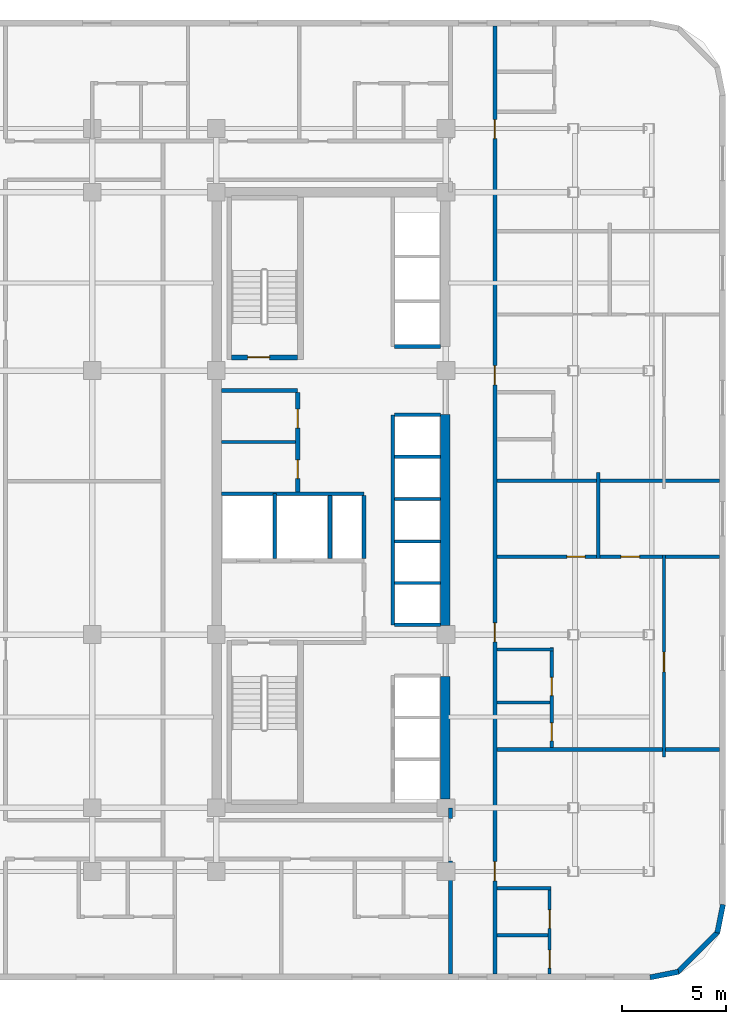
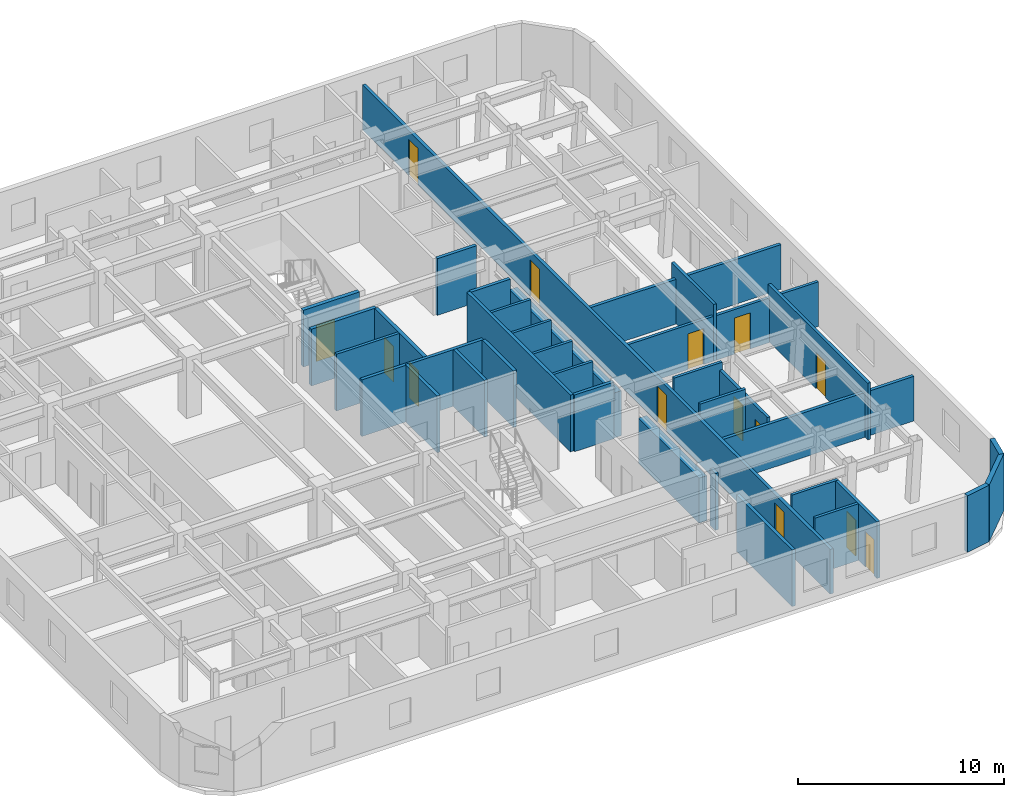
# One storey, part 8 of 12: 35 walls, 14 doors, 14 openings.
"""IFC4 building model written with IfcOpenShell, lengths in metres."""

from ifc_helpers import new_model, si_unit, direction, frame, frame_2d, origin, place, context, subcontext, project, spatial, rectangle, extrude, material, layer, layer_set, type_object, element, fill, save


model = new_model("IFC4")

# Units and contexts
model_context = context("Model", 3, precision=1e-05, world=origin(), true_north=direction((0.0, 1.0)))
body_context = subcontext(model_context, "Body", "Model", "MODEL_VIEW")
ifc_project = project(units=[si_unit("LENGTHUNIT", "METRE"), si_unit("AREAUNIT", "SQUARE_METRE"), si_unit("VOLUMEUNIT", "CUBIC_METRE"), si_unit("PLANEANGLEUNIT", "RADIAN"), si_unit("MASSUNIT", "GRAM", prefix="KILO")], contexts=[model_context])

# Site, building, storey
site_placement = place(None, origin())
site = spatial("IfcSite", under=ifc_project, at=site_placement, CompositionType="ELEMENT")
building_placement = place(site_placement, origin())
building = spatial("IfcBuilding", under=site, at=building_placement, Name="Ochreholt Gables", CompositionType="ELEMENT")
storey_placement = place(building_placement, frame((0.0, 0.0, 38.39990234375)))
storey = spatial("IfcBuildingStorey", under=building, at=storey_placement, Name="L09", CompositionType="ELEMENT", Elevation=38.39990234375)

# Walls
ifc_material_1 = material(Name="Concrete 60 MPa", Category="concrete")
ifc_layer_1 = layer(ifc_material_1, 0.449951171875, Name="Concrete 60 MPa")
ifc_layer_set_1 = layer_set([ifc_layer_1], Name="Concrete 60 MPa")
wall_type_1 = type_object("IfcWallType", Name="WALL-CSW-450", PredefinedType="SHEAR", material=ifc_layer_set_1)
wall_1_placement = place(storey_placement, frame((35.175048828125, 9.675048828125, 0.0), z_axis=(0.0, 0.0, 1.0), x_axis=(0.0, 1.0, 0.0)))
element("IfcWall", 1, at=wall_1_placement, inside=storey, type_object=wall_type_1, Name="L09 Core South-East Shear Wall", PredefinedType="SHEAR", context=body_context, shape_type="SweptSolid", body=[
    extrude(rectangle(XDim=5.875, YDim=0.449951171875, at=frame_2d((2.9375, 0.0))), origin(), (0.0, 0.0, 1.0), 2.6669921875),
])
wall_2_placement = place(storey_placement, frame((35.175048828125, 17.97509765625, 0.0), z_axis=(0.0, 0.0, 1.0), x_axis=(0.0, 1.0, 0.0)))
element("IfcWall", 2, at=wall_2_placement, inside=storey, type_object=wall_type_1, Name="L09 Core Central-East Shear Wall", PredefinedType="SHEAR", context=body_context, shape_type="SweptSolid", body=[
    extrude(rectangle(XDim=10.125, YDim=0.449951171875, at=frame_2d((5.0625, 0.0))), origin(), (0.0, 0.0, 1.0), 2.6669921875),
])
ifc_material_2 = material(Name="Precast concrete 40 MPa", Category="concrete")
ifc_layer_2 = layer(ifc_material_2, 0.25, Name="Precast concrete 40 MPa")
ifc_layer_set_2 = layer_set([ifc_layer_2], Name="Precast concrete 40 MPa")
wall_type_2 = type_object("IfcWallType", Name="WALL-EXT-CNR", PredefinedType="SOLIDWALL", material=ifc_layer_set_2)
wall_3_placement = place(storey_placement, frame((44.9833984375, 1.124267578125, 0.0), z_axis=(0.0, 0.0, 1.0), x_axis=(0.980809899341, 0.19496651342, 0.0)))
element("IfcWall", 3, at=wall_3_placement, inside=storey, type_object=wall_type_2, Name="L09 Rounded Corner Wall SE-1", PredefinedType="SOLIDWALL", context=body_context, shape_type="SweptSolid", body=[
    extrude(rectangle(XDim=1.388671875, YDim=0.25, at=frame_2d((0.6943359375, 0.0))), origin(), (0.0, 0.0, 1.0), 3.360107421875),
])
wall_4_placement = place(storey_placement, frame((46.294921875, 1.367919921875, 0.0), z_axis=(0.0, 0.0, 1.0), x_axis=(0.707106781187, 0.707106781187, 0.0)))
element("IfcWall", 4, at=wall_4_placement, inside=storey, type_object=wall_type_2, Name="L09 Rounded Corner Wall SE-2", PredefinedType="SOLIDWALL", context=body_context, shape_type="SweptSolid", body=[
    extrude(rectangle(XDim=2.7392578125, YDim=0.25, at=frame_2d((1.36962890625, 0.0))), origin(), (0.0, 0.0, 1.0), 3.360107421875),
])
wall_5_placement = place(storey_placement, frame((48.205078125, 3.25439453125, 0.0), z_axis=(0.0, 0.0, 1.0), x_axis=(0.19496651342, 0.980809899341, 0.0)))
element("IfcWall", 5, at=wall_5_placement, inside=storey, type_object=wall_type_2, Name="L09 Rounded Corner Wall SE-3", PredefinedType="SOLIDWALL", context=body_context, shape_type="SweptSolid", body=[
    extrude(rectangle(XDim=1.388671875, YDim=0.25, at=frame_2d((0.6943359375, 0.0))), origin(), (0.0, 0.0, 1.0), 3.360107421875),
])
ifc_material_3 = material(Name="Concrete 40 MPa", Category="concrete")
ifc_layer_3 = layer(ifc_material_3, 0.199951171875, Name="Concrete 40 MPa")
ifc_layer_set_3 = layer_set([ifc_layer_3], Name="Concrete 40 MPa")
wall_type_3 = type_object("IfcWallType", Name="WALL-INT-CF200", PredefinedType="STANDARD", material=ifc_layer_set_3)
wall_6_placement = place(storey_placement, frame((24.449951171875, 29.239990234375, 0.0), z_axis=(0.0, 0.0, 1.0), x_axis=(1.0, 0.0, 0.0)))
element("IfcWall", 6, at=wall_6_placement, inside=storey, type_object=wall_type_3, Name="L09 Interior Wall WI-SRVN-L09", PredefinedType="STANDARD", context=body_context, shape_type="SweptSolid", body=[
    extrude(rectangle(XDim=3.650146484375, YDim=0.199951171875, at=frame_2d((1.8251953125, 0.0))), origin(), (0.0, 0.0, 1.0), 3.360107421875),
])

# Wall, openings, doors
wall_7_placement = place(storey_placement, frame((28.10009765625, 24.389892578125, 0.0), z_axis=(0.0, 0.0, 1.0), x_axis=(0.0, 1.0, 0.0)))
wall_7 = element("IfcWall", 7, at=wall_7_placement, inside=storey, type_object=wall_type_3, Name="L09 Interior Wall WI-SRVE-L09", PredefinedType="STANDARD", context=body_context, shape_type="SweptSolid", body=[
    extrude(rectangle(XDim=4.75, YDim=0.199951171875, at=frame_2d((2.375, 0.0))), origin(), (0.0, 0.0, 1.0), 3.360107421875),
])
opening_1_placement = place(wall_7_placement, frame((0.6298828125, 0.0, 0.0)))
opening_1 = element("IfcOpeningElement", 8, at=opening_1_placement, cuts=wall_7, Name="Opening D-SV1", PredefinedType="OPENING", context=body_context, shape_type="SweptSolid", body=[
    extrude(rectangle(XDim=0.89990234375, YDim=2.10009765625, at=frame_2d((0.449951171875, 1.050048828125))), frame((0.0, 0.10986328125, 0.0), z_axis=(0.0, -1.0, 0.0), x_axis=(1.0, 0.0, 0.0)), (0.0, 0.0, 1.0), 0.219970703125),
])
opening_2_placement = place(wall_7_placement, frame((3.06005859375, 0.0, 0.0)))
opening_2 = element("IfcOpeningElement", 9, at=opening_2_placement, cuts=wall_7, Name="Opening D-SV1", PredefinedType="OPENING", context=body_context, shape_type="SweptSolid", body=[
    extrude(rectangle(XDim=0.89990234375, YDim=2.10009765625, at=frame_2d((0.449951171875, 1.050048828125))), frame((0.0, 0.10986328125, 0.0), z_axis=(0.0, -1.0, 0.0), x_axis=(1.0, 0.0, 0.0)), (0.0, 0.0, 1.0), 0.219970703125),
])
ifc_material_4 = material(Name="Hollow Metal Steel", Category="steel")
door_type_1 = type_object("IfcDoorType", Name="DR-INT-SRV900", OperationType="NOTDEFINED", PredefinedType="DOOR", material=ifc_material_4)
door_1_placement = place(opening_1_placement, origin())
door_1 = element("IfcDoor", 10, at=door_1_placement, inside=storey, type_object=door_type_1, Name="L09 Door D-SRV1-L09", OperationType="SINGLE_SWING_LEFT", OverallHeight=2.10009765625, OverallWidth=0.89990234375, PredefinedType="DOOR", context=body_context, shape_type="SweptSolid", body=[
    extrude(rectangle(XDim=0.89990234375, YDim=2.10009765625, at=frame_2d((0.449951171875, 1.050048828125))), frame((0.0, 0.02490234375, 0.0), z_axis=(0.0, -1.0, 0.0), x_axis=(1.0, 0.0, 0.0)), (0.0, 0.0, 1.0), 0.050048828125),
])
fill(opening_1, door_1)
door_2_placement = place(opening_2_placement, origin())
door_2 = element("IfcDoor", 11, at=door_2_placement, inside=storey, type_object=door_type_1, Name="L09 Door D-SRV2-L09", OperationType="SINGLE_SWING_RIGHT", OverallHeight=2.10009765625, OverallWidth=0.89990234375, PredefinedType="DOOR", context=body_context, shape_type="SweptSolid", body=[
    extrude(rectangle(XDim=0.89990234375, YDim=2.10009765625, at=frame_2d((0.449951171875, 1.050048828125))), frame((0.0, 0.02490234375, 0.0), z_axis=(0.0, -1.0, 0.0), x_axis=(1.0, 0.0, 0.0)), (0.0, 0.0, 1.0), 0.050048828125),
])
fill(opening_2, door_2)

ifc_material_5 = material(Name="Fire-Rated Gypsum Acoustic Partition", Category="gypsum")
ifc_layer_4 = layer(ifc_material_5, 0.179931640625, Name="Fire-Rated Gypsum Acoustic Partition")
ifc_layer_set_4 = layer_set([ifc_layer_4], Name="Fire-Rated Gypsum Acoustic Partition")
wall_type_4 = type_object("IfcWallType", Name="WALL-INT-CR180", PredefinedType="STANDARD", material=ifc_layer_set_4)
wall_8_placement = place(storey_placement, frame((37.550048828125, 1.2900390625, 0.0), z_axis=(0.0, 0.0, 1.0), x_axis=(0.0, 1.0, 0.0)))
wall_8 = element("IfcWall", 12, at=wall_8_placement, inside=storey, type_object=wall_type_4, Name="L09 Interior Wall WI-C1E-L09", PredefinedType="STANDARD", context=body_context, shape_type="SweptSolid", body=[
    extrude(rectangle(XDim=45.419921875, YDim=0.179931640625, at=frame_2d((22.7099609375, 0.0))), origin(), (0.0, 0.0, 1.0), 2.649169921875),
])
opening_3_placement = place(wall_8_placement, frame((4.4599609375, 0.0, 0.0)))
opening_3 = element("IfcOpeningElement", 13, at=opening_3_placement, cuts=wall_8, Name="Opening D-UN1", PredefinedType="OPENING", context=body_context, shape_type="SweptSolid", body=[
    extrude(rectangle(XDim=0.919921875, YDim=2.14990234375, at=frame_2d((0.4599609375, 1.074951171875))), frame((0.0, 0.099853515625, 0.0), z_axis=(0.0, -1.0, 0.0), x_axis=(1.0, 0.0, 0.0)), (0.0, 0.0, 1.0), 0.199951171875),
])
opening_4_placement = place(wall_8_placement, frame((15.906982421875, 0.0, 0.0)))
opening_4 = element("IfcOpeningElement", 14, at=opening_4_placement, cuts=wall_8, Name="Opening D-UN1", PredefinedType="OPENING", context=body_context, shape_type="SweptSolid", body=[
    extrude(rectangle(XDim=0.919921875, YDim=2.14990234375, at=frame_2d((0.4599609375, 1.074951171875))), frame((0.0, 0.099853515625, 0.0), z_axis=(0.0, -1.0, 0.0), x_axis=(1.0, 0.0, 0.0)), (0.0, 0.0, 1.0), 0.199951171875),
])
opening_5_placement = place(wall_8_placement, frame((28.22998046875, 0.0, 0.0)))
opening_5 = element("IfcOpeningElement", 15, at=opening_5_placement, cuts=wall_8, Name="Opening D-UN1", PredefinedType="OPENING", context=body_context, shape_type="SweptSolid", body=[
    extrude(rectangle(XDim=0.919921875, YDim=2.14990234375, at=frame_2d((0.4599609375, 1.074951171875))), frame((0.0, 0.099853515625, 0.0), z_axis=(0.0, -1.0, 0.0), x_axis=(1.0, 0.0, 0.0)), (0.0, 0.0, 1.0), 0.199951171875),
])
opening_6_placement = place(wall_8_placement, frame((40.02001953125, 0.0, 0.0)))
opening_6 = element("IfcOpeningElement", 16, at=opening_6_placement, cuts=wall_8, Name="Opening D-UN1", PredefinedType="OPENING", context=body_context, shape_type="SweptSolid", body=[
    extrude(rectangle(XDim=0.919921875, YDim=2.14990234375, at=frame_2d((0.4599609375, 1.074951171875))), frame((0.0, 0.099853515625, 0.0), z_axis=(0.0, -1.0, 0.0), x_axis=(1.0, 0.0, 0.0)), (0.0, 0.0, 1.0), 0.199951171875),
])
ifc_material_6 = material(Name="Engineered Oak Timber", Category="wood")
door_type_2 = type_object("IfcDoorType", Name="DR-INT-UNT920", OperationType="NOTDEFINED", PredefinedType="DOOR", material=ifc_material_6)
door_3_placement = place(opening_3_placement, origin())
door_3 = element("IfcDoor", 17, at=door_3_placement, inside=storey, type_object=door_type_2, Name="L09 Door D-U-L09E1-ENT", OperationType="SINGLE_SWING_RIGHT", OverallHeight=2.14990234375, OverallWidth=0.919921875, PredefinedType="DOOR", context=body_context, shape_type="SweptSolid", body=[
    extrude(rectangle(XDim=0.919921875, YDim=2.14990234375, at=frame_2d((0.4599609375, 1.074951171875))), frame((0.0, 0.02490234375, 0.0), z_axis=(0.0, -1.0, 0.0), x_axis=(1.0, 0.0, 0.0)), (0.0, 0.0, 1.0), 0.050048828125),
])
fill(opening_3, door_3)
door_4_placement = place(opening_4_placement, origin())
door_4 = element("IfcDoor", 18, at=door_4_placement, inside=storey, type_object=door_type_2, Name="L09 Door D-U-L09E2-ENT", OperationType="SINGLE_SWING_LEFT", OverallHeight=2.14990234375, OverallWidth=0.919921875, PredefinedType="DOOR", context=body_context, shape_type="SweptSolid", body=[
    extrude(rectangle(XDim=0.919921875, YDim=2.14990234375, at=frame_2d((0.4599609375, 1.074951171875))), frame((0.0, 0.02490234375, 0.0), z_axis=(0.0, -1.0, 0.0), x_axis=(1.0, 0.0, 0.0)), (0.0, 0.0, 1.0), 0.050048828125),
])
fill(opening_4, door_4)
door_5_placement = place(opening_5_placement, origin())
door_5 = element("IfcDoor", 19, at=door_5_placement, inside=storey, type_object=door_type_2, Name="L09 Door D-U-L09E3-ENT", OperationType="SINGLE_SWING_RIGHT", OverallHeight=2.14990234375, OverallWidth=0.919921875, PredefinedType="DOOR", context=body_context, shape_type="SweptSolid", body=[
    extrude(rectangle(XDim=0.919921875, YDim=2.14990234375, at=frame_2d((0.4599609375, 1.074951171875))), frame((0.0, 0.02490234375, 0.0), z_axis=(0.0, -1.0, 0.0), x_axis=(1.0, 0.0, 0.0)), (0.0, 0.0, 1.0), 0.050048828125),
])
fill(opening_5, door_5)
door_6_placement = place(opening_6_placement, origin())
door_6 = element("IfcDoor", 20, at=door_6_placement, inside=storey, type_object=door_type_2, Name="L09 Door D-U-L09E4-ENT", OperationType="SINGLE_SWING_LEFT", OverallHeight=2.14990234375, OverallWidth=0.919921875, PredefinedType="DOOR", context=body_context, shape_type="SweptSolid", body=[
    extrude(rectangle(XDim=0.919921875, YDim=2.14990234375, at=frame_2d((0.4599609375, 1.074951171875))), frame((0.0, 0.02490234375, 0.0), z_axis=(0.0, -1.0, 0.0), x_axis=(1.0, 0.0, 0.0)), (0.0, 0.0, 1.0), 0.050048828125),
])
fill(opening_6, door_6)

# Walls
wall_9_placement = place(storey_placement, frame((35.419921875, 8.739990234375, 0.0), z_axis=(0.0, 0.0, 1.0), x_axis=(0.0, 1.0, 0.0)))
element("IfcWall", 21, at=wall_9_placement, inside=storey, type_object=wall_type_4, Name="L09 Interior Wall WI-C1ESW2-L09", PredefinedType="STANDARD", context=body_context, shape_type="SweptSolid", body=[
    extrude(rectangle(XDim=0.510009765625, YDim=0.179931640625, at=frame_2d((0.2548828125, 0.0))), origin(), (0.0, 0.0, 1.0), 3.360107421875),
])
ifc_material_7 = material(Name="Double-Stud Acoustic Demising Wall", Category="gypsum")
ifc_layer_5 = layer(ifc_material_7, 0.179931640625, Name="Double-Stud Acoustic Demising Wall")
ifc_layer_set_5 = layer_set([ifc_layer_5], Name="Double-Stud Acoustic Demising Wall")
wall_type_5 = type_object("IfcWallType", Name="WALL-INT-DM180", PredefinedType="PARTITIONING", material=ifc_layer_set_5)
wall_10_placement = place(storey_placement, frame((35.419921875, 1.2900390625, 0.0), z_axis=(0.0, 0.0, 1.0), x_axis=(0.0, 1.0, 0.0)))
element("IfcWall", 22, at=wall_10_placement, inside=storey, type_object=wall_type_5, Name="L09 Interior Wall WI-C1ESW-L09", PredefinedType="PARTITIONING", context=body_context, shape_type="SweptSolid", body=[
    extrude(rectangle(XDim=5.419921875, YDim=0.179931640625, at=frame_2d((2.7099609375, 0.0))), origin(), (0.0, 0.0, 1.0), 3.360107421875),
])
for number, where, z_axis, x_axis, name in (
    (23, (37.639892578125, 12.0400390625, 0.0), (0.0, 0.0, 1.0), (1.0, 0.0, 0.0), "L09 Interior Wall WI-UDE2-L09"),
    (24, (37.639892578125, 24.919921875, 0.0), (0.0, 0.0, 1.0), (1.0, 0.0, 0.0), "L09 Interior Wall WI-UDE3-L09"),
):
    element("IfcWall", number, at=place(storey_placement, frame(where, z_axis=z_axis, x_axis=x_axis)), inside=storey, type_object=wall_type_5, Name=name, PredefinedType="PARTITIONING", context=body_context, shape_type="SweptSolid", body=[
        extrude(rectangle(XDim=10.670166015625, YDim=0.179931640625, at=frame_2d((5.3349609375, 0.0))), origin(), (0.0, 0.0, 1.0), 2.649169921875),
    ])
ifc_material_8 = material(Name="Moisture-Resistant Plumbing Chase Wall", Category="gypsum")
ifc_layer_6 = layer(ifc_material_8, 0.159912109375, Name="Moisture-Resistant Plumbing Chase Wall")
ifc_layer_set_6 = layer_set([ifc_layer_6], Name="Moisture-Resistant Plumbing Chase Wall")
wall_type_6 = type_object("IfcWallType", Name="WALL-INT-PL160", PredefinedType="PLUMBINGWALL", material=ifc_layer_set_6)
wall_11_placement = place(storey_placement, frame((37.639892578125, 5.389892578125, 0.0), z_axis=(0.0, 0.0, 1.0), x_axis=(1.0, 0.0, 0.0)))
element("IfcWall", 25, at=wall_11_placement, inside=storey, type_object=wall_type_6, Name="L09 Interior Wall WU-L09E1-WYN", PredefinedType="PLUMBINGWALL", context=body_context, shape_type="SweptSolid", body=[
    extrude(rectangle(XDim=2.606201171875, YDim=0.159912109375, at=frame_2d((1.30322265625, 0.0))), origin(), (0.0, 0.0, 1.0), 3.360107421875),
])

# Wall, openings, doors
wall_12_placement = place(storey_placement, frame((40.166015625, 1.2900390625, 0.0), z_axis=(0.0, 0.0, 1.0), x_axis=(0.0, 1.0, 0.0)))
wall_12 = element("IfcWall", 26, at=wall_12_placement, inside=storey, type_object=wall_type_6, Name="L09 Interior Wall WU-L09E1-WX", PredefinedType="PLUMBINGWALL", context=body_context, shape_type="SweptSolid", body=[
    extrude(rectangle(XDim=4.18994140625, YDim=0.159912109375, at=frame_2d((2.094970703125, 0.0))), origin(), (0.0, 0.0, 1.0), 3.360107421875),
])
opening_7_placement = place(wall_12_placement, frame((0.280029296875, 0.0, 0.0)))
opening_7 = element("IfcOpeningElement", 27, at=opening_7_placement, cuts=wall_12, Name="Opening D-BT1", PredefinedType="OPENING", context=body_context, shape_type="SweptSolid", body=[
    extrude(rectangle(XDim=0.860107421875, YDim=2.1201171875, at=frame_2d((0.43017578125, 1.06005859375))), frame((0.0, 0.08984375, 0.0), z_axis=(0.0, -1.0, 0.0), x_axis=(1.0, 0.0, 0.0)), (0.0, 0.0, 1.0), 0.179931640625),
])
opening_8_placement = place(wall_12_placement, frame((2.18896484375, 0.0, 0.0)))
opening_8 = element("IfcOpeningElement", 28, at=opening_8_placement, cuts=wall_12, Name="Opening D-GN2", PredefinedType="OPENING", context=body_context, shape_type="SweptSolid", body=[
    extrude(rectangle(XDim=0.8798828125, YDim=2.1201171875, at=frame_2d((0.43994140625, 1.06005859375))), frame((0.0, 0.08984375, 0.0), z_axis=(0.0, -1.0, 0.0), x_axis=(1.0, 0.0, 0.0)), (0.0, 0.0, 1.0), 0.179931640625),
])
door_type_3 = type_object("IfcDoorType", Name="DR-INT-BTH860", OperationType="NOTDEFINED", PredefinedType="DOOR", material=ifc_material_6)
door_7_placement = place(opening_7_placement, origin())
door_7 = element("IfcDoor", 29, at=door_7_placement, inside=storey, type_object=door_type_3, Name="L09 Door D-U-L09E1-BTH", OperationType="SINGLE_SWING_LEFT", OverallHeight=2.1201171875, OverallWidth=0.860107421875, PredefinedType="DOOR", context=body_context, shape_type="SweptSolid", body=[
    extrude(rectangle(XDim=0.860107421875, YDim=2.1201171875, at=frame_2d((0.43017578125, 1.06005859375))), frame((0.0, 0.02490234375, 0.0), z_axis=(0.0, -1.0, 0.0), x_axis=(1.0, 0.0, 0.0)), (0.0, 0.0, 1.0), 0.050048828125),
])
fill(opening_7, door_7)
door_type_4 = type_object("IfcDoorType", Name="DR-INT-GEN880", OperationType="NOTDEFINED", PredefinedType="DOOR", material=ifc_material_6)
door_8_placement = place(opening_8_placement, origin())
door_8 = element("IfcDoor", 30, at=door_8_placement, inside=storey, type_object=door_type_4, Name="L09 Door D-U-L09E1-KIT", OperationType="SINGLE_SWING_RIGHT", OverallHeight=2.1201171875, OverallWidth=0.8798828125, PredefinedType="DOOR", context=body_context, shape_type="SweptSolid", body=[
    extrude(rectangle(XDim=0.8798828125, YDim=2.1201171875, at=frame_2d((0.43994140625, 1.06005859375))), frame((0.0, 0.02490234375, 0.0), z_axis=(0.0, -1.0, 0.0), x_axis=(1.0, 0.0, 0.0)), (0.0, 0.0, 1.0), 0.050048828125),
])
fill(opening_8, door_8)

# Walls
wall_13_placement = place(storey_placement, frame((37.639892578125, 3.14892578125, 0.0), z_axis=(0.0, 0.0, 1.0), x_axis=(1.0, 0.0, 0.0)))
element("IfcWall", 31, at=wall_13_placement, inside=storey, type_object=wall_type_6, Name="L09 Interior Wall WU-L09E1-WM", PredefinedType="PLUMBINGWALL", context=body_context, shape_type="SweptSolid", body=[
    extrude(rectangle(XDim=2.446044921875, YDim=0.159912109375, at=frame_2d((1.22314453125, 0.0))), origin(), (0.0, 0.0, 1.0), 3.360107421875),
])
wall_14_placement = place(storey_placement, frame((37.639892578125, 16.8369140625, 0.0), z_axis=(0.0, 0.0, 1.0), x_axis=(1.0, 0.0, 0.0)))
element("IfcWall", 32, at=wall_14_placement, inside=storey, type_object=wall_type_6, Name="L09 Interior Wall WU-L09E2-FYN", PredefinedType="PLUMBINGWALL", context=body_context, shape_type="SweptSolid", body=[
    extrude(rectangle(XDim=2.712158203125, YDim=0.159912109375, at=frame_2d((1.35595703125, 0.0))), origin(), (0.0, 0.0, 1.0), 3.360107421875),
])

# Wall, openings, doors
wall_15_placement = place(storey_placement, frame((40.27197265625, 12.1298828125, 0.0), z_axis=(0.0, 0.0, 1.0), x_axis=(0.0, 1.0, 0.0)))
wall_15 = element("IfcWall", 33, at=wall_15_placement, inside=storey, type_object=wall_type_6, Name="L09 Interior Wall WU-L09E2-WX", PredefinedType="PLUMBINGWALL", context=body_context, shape_type="SweptSolid", body=[
    extrude(rectangle(XDim=4.797119140625, YDim=0.159912109375, at=frame_2d((2.3984375, 0.0))), origin(), (0.0, 0.0, 1.0), 2.93212890625),
])
opening_9_placement = place(wall_15_placement, frame((0.330078125, 0.0, 0.0)))
opening_9 = element("IfcOpeningElement", 34, at=opening_9_placement, cuts=wall_15, Name="Opening D-BT1", PredefinedType="OPENING", context=body_context, shape_type="SweptSolid", body=[
    extrude(rectangle(XDim=0.860107421875, YDim=2.1201171875, at=frame_2d((0.43017578125, 1.06005859375))), frame((0.0, 0.08984375, 0.0), z_axis=(0.0, -1.0, 0.0), x_axis=(1.0, 0.0, 0.0)), (0.0, 0.0, 1.0), 0.179931640625),
])
opening_10_placement = place(wall_15_placement, frame((2.4951171875, 0.0, 0.0)))
opening_10 = element("IfcOpeningElement", 35, at=opening_10_placement, cuts=wall_15, Name="Opening D-GN2", PredefinedType="OPENING", context=body_context, shape_type="SweptSolid", body=[
    extrude(rectangle(XDim=0.8798828125, YDim=2.1201171875, at=frame_2d((0.43994140625, 1.06005859375))), frame((0.0, 0.08984375, 0.0), z_axis=(0.0, -1.0, 0.0), x_axis=(1.0, 0.0, 0.0)), (0.0, 0.0, 1.0), 0.179931640625),
])
door_9_placement = place(opening_9_placement, origin())
door_9 = element("IfcDoor", 36, at=door_9_placement, inside=storey, type_object=door_type_3, Name="L09 Door D-U-L09E2-BTH", OperationType="SINGLE_SWING_RIGHT", OverallHeight=2.1201171875, OverallWidth=0.860107421875, PredefinedType="DOOR", context=body_context, shape_type="SweptSolid", body=[
    extrude(rectangle(XDim=0.860107421875, YDim=2.1201171875, at=frame_2d((0.43017578125, 1.06005859375))), frame((0.0, 0.02490234375, 0.0), z_axis=(0.0, -1.0, 0.0), x_axis=(1.0, 0.0, 0.0)), (0.0, 0.0, 1.0), 0.050048828125),
])
fill(opening_9, door_9)
door_10_placement = place(opening_10_placement, origin())
door_10 = element("IfcDoor", 37, at=door_10_placement, inside=storey, type_object=door_type_4, Name="L09 Door D-U-L09E2-KIT", OperationType="SINGLE_SWING_LEFT", OverallHeight=2.1201171875, OverallWidth=0.8798828125, PredefinedType="DOOR", context=body_context, shape_type="SweptSolid", body=[
    extrude(rectangle(XDim=0.8798828125, YDim=2.1201171875, at=frame_2d((0.43994140625, 1.06005859375))), frame((0.0, 0.02490234375, 0.0), z_axis=(0.0, -1.0, 0.0), x_axis=(1.0, 0.0, 0.0)), (0.0, 0.0, 1.0), 0.050048828125),
])
fill(opening_10, door_10)

# Walls
wall_16_placement = place(storey_placement, frame((37.639892578125, 14.295166015625, 0.0), z_axis=(0.0, 0.0, 1.0), x_axis=(1.0, 0.0, 0.0)))
element("IfcWall", 38, at=wall_16_placement, inside=storey, type_object=wall_type_6, Name="L09 Interior Wall WU-L09E2-WK", PredefinedType="PLUMBINGWALL", context=body_context, shape_type="SweptSolid", body=[
    extrude(rectangle(XDim=2.552001953125, YDim=0.159912109375, at=frame_2d((1.27587890625, 0.0))), origin(), (0.0, 0.0, 1.0), 3.360107421875),
])
ifc_material_9 = material(Name="Gypsum Acoustic Stud Partition", Category="gypsum")
ifc_layer_7 = layer(ifc_material_9, 0.159912109375, Name="Gypsum Acoustic Stud Partition")
ifc_layer_set_7 = layer_set([ifc_layer_7], Name="Gypsum Acoustic Stud Partition")
wall_type_7 = type_object("IfcWallType", Name="WALL-INT-PT160", PredefinedType="PARTITIONING", material=ifc_layer_set_7)
wall_17_placement = place(storey_placement, frame((24.449951171875, 26.780029296875, 0.0), z_axis=(0.0, 0.0, 1.0), x_axis=(1.0, 0.0, 0.0)))
element("IfcWall", 39, at=wall_17_placement, inside=storey, type_object=wall_type_7, Name="L09 Interior Wall WI-SRVP1-L09", PredefinedType="PARTITIONING", context=body_context, shape_type="SweptSolid", body=[
    extrude(rectangle(XDim=3.550048828125, YDim=0.159912109375, at=frame_2d((1.77490234375, 0.0))), origin(), (0.0, 0.0, 1.0), 3.360107421875),
])

# Wall, openings, doors
wall_18_placement = place(storey_placement, frame((37.639892578125, 21.280029296875, 0.0), z_axis=(0.0, 0.0, 1.0), x_axis=(1.0, 0.0, 0.0)))
wall_18 = element("IfcWall", 40, at=wall_18_placement, inside=storey, type_object=wall_type_7, Name="L09 Interior Wall WU-L09E2-MN", PredefinedType="PARTITIONING", context=body_context, shape_type="SweptSolid", body=[
    extrude(rectangle(XDim=10.670166015625, YDim=0.159912109375, at=frame_2d((5.3349609375, 0.0))), origin(), (0.0, 0.0, 1.0), 2.649169921875),
])
opening_11_placement = place(wall_18_placement, frame((3.353271484375, 0.0, 0.0)))
opening_11 = element("IfcOpeningElement", 41, at=opening_11_placement, cuts=wall_18, Name="Opening D-GN2", PredefinedType="OPENING", context=body_context, shape_type="SweptSolid", body=[
    extrude(rectangle(XDim=0.8798828125, YDim=2.1201171875, at=frame_2d((0.43994140625, 1.06005859375))), frame((0.0, 0.08984375, 0.0), z_axis=(0.0, -1.0, 0.0), x_axis=(1.0, 0.0, 0.0)), (0.0, 0.0, 1.0), 0.179931640625),
])
opening_12_placement = place(wall_18_placement, frame((5.9423828125, 0.0, 0.0)))
opening_12 = element("IfcOpeningElement", 42, at=opening_12_placement, cuts=wall_18, Name="Opening D-BD1", PredefinedType="OPENING", context=body_context, shape_type="SweptSolid", body=[
    extrude(rectangle(XDim=0.89990234375, YDim=2.139892578125, at=frame_2d((0.449951171875, 1.06982421875))), frame((0.0, 0.08984375, 0.0), z_axis=(0.0, -1.0, 0.0), x_axis=(1.0, 0.0, 0.0)), (0.0, 0.0, 1.0), 0.179931640625),
])
door_type_5 = type_object("IfcDoorType", Name="DR-INT-BED900", OperationType="NOTDEFINED", PredefinedType="DOOR", material=ifc_material_6)
door_11_placement = place(opening_12_placement, origin())
door_11 = element("IfcDoor", 43, at=door_11_placement, inside=storey, type_object=door_type_5, Name="L09 Door D-U-L09E2-BD1", OperationType="SINGLE_SWING_RIGHT", OverallHeight=2.139892578125, OverallWidth=0.89990234375, PredefinedType="DOOR", context=body_context, shape_type="SweptSolid", body=[
    extrude(rectangle(XDim=0.89990234375, YDim=2.139892578125, at=frame_2d((0.449951171875, 1.06982421875))), frame((0.0, 0.02490234375, 0.0), z_axis=(0.0, -1.0, 0.0), x_axis=(1.0, 0.0, 0.0)), (0.0, 0.0, 1.0), 0.050048828125),
])
fill(opening_12, door_11)
door_12_placement = place(opening_11_placement, origin())
door_12 = element("IfcDoor", 44, at=door_12_placement, inside=storey, type_object=door_type_4, Name="L09 Door D-U-L09E2-STD", OperationType="SINGLE_SWING_LEFT", OverallHeight=2.1201171875, OverallWidth=0.8798828125, PredefinedType="DOOR", context=body_context, shape_type="SweptSolid", body=[
    extrude(rectangle(XDim=0.8798828125, YDim=2.1201171875, at=frame_2d((0.43994140625, 1.06005859375))), frame((0.0, 0.02490234375, 0.0), z_axis=(0.0, -1.0, 0.0), x_axis=(1.0, 0.0, 0.0)), (0.0, 0.0, 1.0), 0.050048828125),
])
fill(opening_11, door_12)

# Wall, opening, door
wall_19_placement = place(storey_placement, frame((45.64990234375, 11.679931640625, 0.0), z_axis=(0.0, 0.0, 1.0), x_axis=(0.0, 1.0, 0.0)))
wall_19 = element("IfcWall", 45, at=wall_19_placement, inside=storey, type_object=wall_type_7, Name="L09 Interior Wall WU-L09E2-DNV", PredefinedType="PARTITIONING", context=body_context, shape_type="SweptSolid", body=[
    extrude(rectangle(XDim=9.68017578125, YDim=0.159912109375, at=frame_2d((4.840087890625, 0.0))), origin(), (0.0, 0.0, 1.0), 3.360107421875),
])
opening_13_placement = place(wall_19_placement, frame((4.080078125, 0.0, 0.0)))
opening_13 = element("IfcOpeningElement", 46, at=opening_13_placement, cuts=wall_19, Name="Opening D-GN1", PredefinedType="OPENING", context=body_context, shape_type="SweptSolid", body=[
    extrude(rectangle(XDim=0.949951171875, YDim=2.14990234375, at=frame_2d((0.47509765625, 1.074951171875))), frame((0.0, 0.08984375, 0.0), z_axis=(0.0, -1.0, 0.0), x_axis=(1.0, 0.0, 0.0)), (0.0, 0.0, 1.0), 0.179931640625),
])
door_type_6 = type_object("IfcDoorType", Name="DR-INT-GEN950", OperationType="NOTDEFINED", PredefinedType="DOOR", material=ifc_material_6)
door_13_placement = place(opening_13_placement, origin())
door_13 = element("IfcDoor", 47, at=door_13_placement, inside=storey, type_object=door_type_6, Name="L09 Door D-U-L09E2-DIN", OperationType="SINGLE_SWING_RIGHT", OverallHeight=2.14990234375, OverallWidth=0.949951171875, PredefinedType="DOOR", context=body_context, shape_type="SweptSolid", body=[
    extrude(rectangle(XDim=0.949951171875, YDim=2.14990234375, at=frame_2d((0.47509765625, 1.074951171875))), frame((0.0, 0.02490234375, 0.0), z_axis=(0.0, -1.0, 0.0), x_axis=(1.0, 0.0, 0.0)), (0.0, 0.0, 1.0), 0.050048828125),
])
fill(opening_13, door_13)

# Walls
wall_20_placement = place(storey_placement, frame((42.50439453125, 21.199951171875, 0.0), z_axis=(0.0, 0.0, 1.0), x_axis=(0.0, 1.0, 0.0)))
element("IfcWall", 48, at=wall_20_placement, inside=storey, type_object=wall_type_7, Name="L09 Interior Wall WU-L09E2-BSD", PredefinedType="PARTITIONING", context=body_context, shape_type="SweptSolid", body=[
    extrude(rectangle(XDim=4.110107421875, YDim=0.159912109375, at=frame_2d((2.05517578125, 0.0))), origin(), (0.0, 0.0, 1.0), 3.360107421875),
])
ifc_material_10 = material(Name="Gypsum Shaftliner and Steel Stud", Category="steel")
ifc_layer_8 = layer(ifc_material_10, 0.14990234375, Name="Gypsum Shaftliner and Steel Stud")
ifc_layer_set_8 = layer_set([ifc_layer_8], Name="Gypsum Shaftliner and Steel Stud")
wall_type_8 = type_object("IfcWallType", Name="WALL-INT-SH150", PredefinedType="STANDARD", material=ifc_layer_set_8)
for number, where, z_axis, x_axis, name in (
    (49, (32.739990234375, 20.02001953125, 0.0), (0.0, 0.0, 1.0), (1.0, 0.0, 0.0), "L09 Interior Wall WI-LFHE-DH1-L09"),
    (50, (32.739990234375, 22.02001953125, 0.0), (0.0, 0.0, 1.0), (1.0, 0.0, 0.0), "L09 Interior Wall WI-LFHE-DH2-L09"),
    (51, (32.739990234375, 24.050048828125, 0.0), (0.0, 0.0, 1.0), (1.0, 0.0, 0.0), "L09 Interior Wall WI-LFHE-DHE-L09"),
    (52, (32.739990234375, 26.070068359375, 0.0), (0.0, 0.0, 1.0), (1.0, 0.0, 0.0), "L09 Interior Wall WI-LFHE-DEX1-L09"),
):
    element("IfcWall", number, at=place(storey_placement, frame(where, z_axis=z_axis, x_axis=x_axis)), inside=storey, type_object=wall_type_8, Name=name, PredefinedType="STANDARD", context=body_context, shape_type="SweptSolid", body=[
        extrude(rectangle(XDim=2.2099609375, YDim=0.14990234375, at=frame_2d((1.10498046875, 0.0))), origin(), (0.0, 0.0, 1.0), 3.360107421875),
    ])
ifc_layer_9 = layer(ifc_material_10, 0.179931640625, Name="Gypsum Shaftliner and Steel Stud")
ifc_layer_set_9 = layer_set([ifc_layer_9], Name="Gypsum Shaftliner and Steel Stud")
wall_type_9 = type_object("IfcWallType", Name="WALL-INT-SH180", PredefinedType="STANDARD", material=ifc_layer_set_9)
wall_21_placement = place(storey_placement, frame((27.0, 21.18994140625, 0.0), z_axis=(0.0, 0.0, 1.0), x_axis=(0.0, 1.0, 0.0)))
element("IfcWall", 53, at=wall_21_placement, inside=storey, type_object=wall_type_9, Name="L09 Interior Wall WI-FFDIV-L09", PredefinedType="STANDARD", context=body_context, shape_type="SweptSolid", body=[
    extrude(rectangle(XDim=3.110107421875, YDim=0.179931640625, at=frame_2d((1.55517578125, 0.0))), origin(), (0.0, 0.0, 1.0), 3.360107421875),
])
wall_22_placement = place(storey_placement, frame((24.449951171875, 24.300048828125, 0.0), z_axis=(0.0, 0.0, 1.0), x_axis=(1.0, 0.0, 0.0)))
element("IfcWall", 54, at=wall_22_placement, inside=storey, type_object=wall_type_9, Name="L09 Interior Wall WI-FFBK-L09", PredefinedType="STANDARD", context=body_context, shape_type="SweptSolid", body=[
    extrude(rectangle(XDim=6.830078125, YDim=0.179931640625, at=frame_2d((3.4150390625, 0.0))), origin(), (0.0, 0.0, 1.0), 3.360107421875),
])
for number, where, z_axis, x_axis, name in (
    (55, (29.64990234375, 21.18994140625, 0.0), (0.0, 0.0, 1.0), (0.0, 1.0, 0.0), "L09 Interior Wall WI-FFSH-L09"),
    (56, (31.280029296875, 21.18994140625, 0.0), (0.0, 0.0, 1.0), (0.0, 1.0, 0.0), "L09 Interior Wall WI-RSE-L09"),
):
    element("IfcWall", number, at=place(storey_placement, frame(where, z_axis=z_axis, x_axis=x_axis)), inside=storey, type_object=wall_type_9, Name=name, PredefinedType="STANDARD", context=body_context, shape_type="SweptSolid", body=[
        extrude(rectangle(XDim=3.02001953125, YDim=0.179931640625, at=frame_2d((1.510009765625, 0.0))), origin(), (0.0, 0.0, 1.0), 3.360107421875),
    ])
wall_23_placement = place(storey_placement, frame((32.64990234375, 18.02001953125, 0.0), z_axis=(0.0, 0.0, 1.0), x_axis=(0.0, 1.0, 0.0)))
element("IfcWall", 57, at=wall_23_placement, inside=storey, type_object=wall_type_9, Name="L09 Interior Wall WI-LFHE-FR-L09", PredefinedType="STANDARD", context=body_context, shape_type="SweptSolid", body=[
    extrude(rectangle(XDim=10.06005859375, YDim=0.179931640625, at=frame_2d((5.030029296875, 0.0))), origin(), (0.0, 0.0, 1.0), 3.360107421875),
])
for number, where, z_axis, x_axis, name in (
    (58, (32.739990234375, 18.02001953125, 0.0), (0.0, 0.0, 1.0), (1.0, 0.0, 0.0), "L09 Interior Wall WI-LFHE-S-L09"),
    (59, (32.739990234375, 28.080078125, 0.0), (0.0, 0.0, 1.0), (1.0, 0.0, 0.0), "L09 Interior Wall WI-LFHE-N-L09"),
    (60, (32.739990234375, 31.35009765625, 0.0), (0.0, 0.0, 1.0), (1.0, 0.0, 0.0), "L09 Interior Wall WI-LFM-S-L09"),
):
    element("IfcWall", number, at=place(storey_placement, frame(where, z_axis=z_axis, x_axis=x_axis)), inside=storey, type_object=wall_type_9, Name=name, PredefinedType="STANDARD", context=body_context, shape_type="SweptSolid", body=[
        extrude(rectangle(XDim=2.2099609375, YDim=0.179931640625, at=frame_2d((1.10498046875, 0.0))), origin(), (0.0, 0.0, 1.0), 3.360107421875),
    ])

# Wall, opening, door
ifc_material_11 = material(Name="Concrete 50 MPa", Category="concrete")
ifc_layer_10 = layer(ifc_material_11, 0.219970703125, Name="Concrete 50 MPa")
ifc_layer_set_10 = layer_set([ifc_layer_10], Name="Concrete 50 MPa")
wall_type_10 = type_object("IfcWallType", Name="WALL-STW-220", PredefinedType="SHEAR", material=ifc_layer_set_10)
wall_24_placement = place(storey_placement, frame((24.919921875, 30.830078125, 0.0), z_axis=(0.0, 0.0, 1.0), x_axis=(1.0, 0.0, 0.0)))
wall_24 = element("IfcWall", 61, at=wall_24_placement, inside=storey, type_object=wall_type_10, Name="L09 Exit Stair 2 South Wall", PredefinedType="SHEAR", context=body_context, shape_type="SweptSolid", body=[
    extrude(rectangle(XDim=3.16015625, YDim=0.219970703125, at=frame_2d((1.580078125, 0.0))), origin(), (0.0, 0.0, 1.0), 3.360107421875),
])
opening_14_placement = place(wall_24_placement, frame((0.780029296875, 0.0, 0.0)))
opening_14 = element("IfcOpeningElement", 62, at=opening_14_placement, cuts=wall_24, Name="Opening D-STC", PredefinedType="OPENING", context=body_context, shape_type="SweptSolid", body=[
    extrude(rectangle(XDim=1.050048828125, YDim=2.14990234375, at=frame_2d((0.52490234375, 1.074951171875))), frame((0.0, 0.119873046875, 0.0), z_axis=(0.0, -1.0, 0.0), x_axis=(1.0, 0.0, 0.0)), (0.0, 0.0, 1.0), 0.239990234375),
])
door_type_7 = type_object("IfcDoorType", Name="DR-INT-ST1050", OperationType="NOTDEFINED", PredefinedType="DOOR", material=ifc_material_4)
door_14_placement = place(opening_14_placement, origin())
door_14 = element("IfcDoor", 63, at=door_14_placement, inside=storey, type_object=door_type_7, Name="L09 Door D-ST2-L09", OperationType="SINGLE_SWING_RIGHT", OverallHeight=2.14990234375, OverallWidth=1.050048828125, PredefinedType="DOOR", context=body_context, shape_type="SweptSolid", body=[
    extrude(rectangle(XDim=1.050048828125, YDim=2.14990234375, at=frame_2d((0.52490234375, 1.074951171875))), frame((0.0, 0.02490234375, 0.0), z_axis=(0.0, -1.0, 0.0), x_axis=(1.0, 0.0, 0.0)), (0.0, 0.0, 1.0), 0.050048828125),
])
fill(opening_14, door_14)

save(model, "model.ifc")
